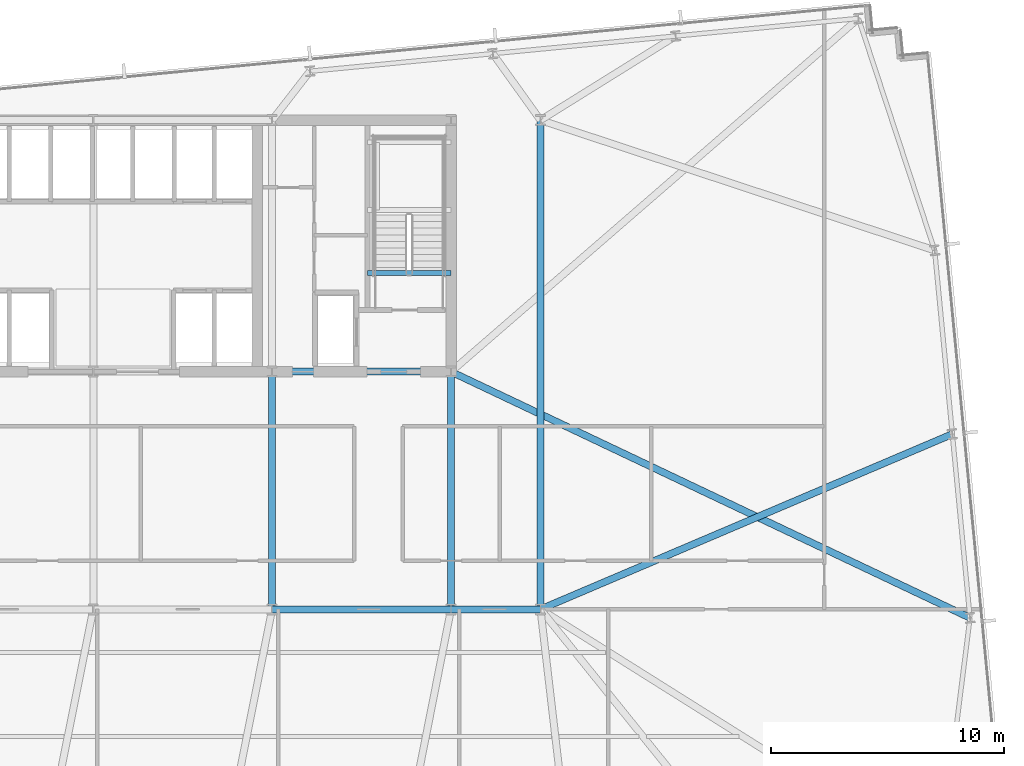
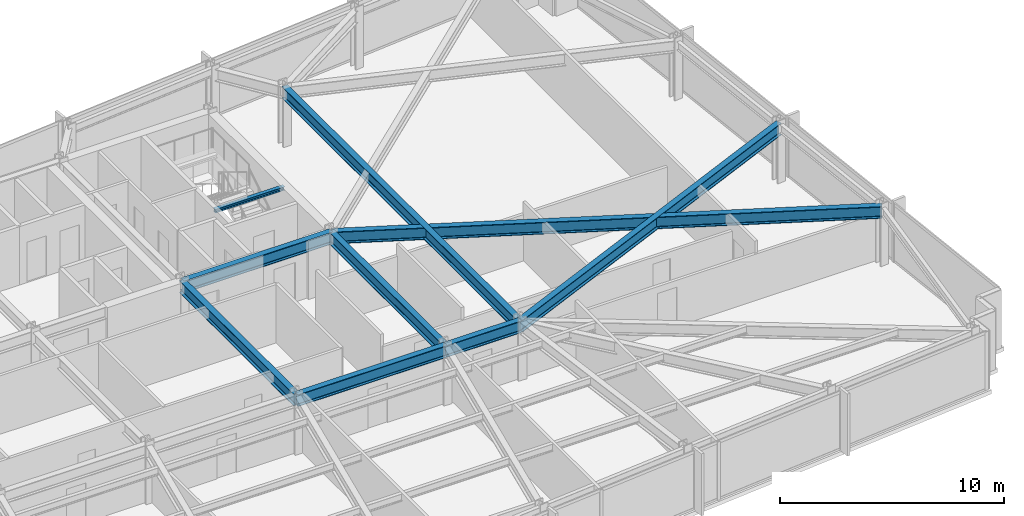
# One storey, part 15 of 32: 9 beams.
"""IFC4 building model written with IfcOpenShell, lengths in metres."""

from ifc_helpers import new_model, si_unit, direction, frame, origin, origin_2d, place, context, subcontext, project, spatial, i_section, extrude, material, material_profile, profile_set, type_object, element, save


model = new_model("IFC4")

# Units and contexts
model_context = context("Model", 3, precision=1e-05, world=origin(), true_north=direction((0.0, 1.0)))
body_context = subcontext(model_context, "Body", "Model", "MODEL_VIEW")
ifc_project = project(units=[si_unit("LENGTHUNIT", "METRE"), si_unit("AREAUNIT", "SQUARE_METRE"), si_unit("VOLUMEUNIT", "CUBIC_METRE"), si_unit("PLANEANGLEUNIT", "RADIAN"), si_unit("MASSUNIT", "GRAM", prefix="KILO")], contexts=[model_context])

# Site, building, storey
site_placement = place(None, origin())
site = spatial("IfcSite", under=ifc_project, at=site_placement, CompositionType="ELEMENT")
building_placement = place(site_placement, origin())
building = spatial("IfcBuilding", under=site, at=building_placement, Name="Yelkora Congress Tower", CompositionType="ELEMENT")
storey_placement = place(building_placement, frame((0.0, 0.0, 93.10009765625)))
storey = spatial("IfcBuildingStorey", under=building, at=storey_placement, Name="L24", CompositionType="ELEMENT", Elevation=93.10009765625)

# Beams
ifc_material = material(Name="Steel S355J2", Category="steel")
ifc_material_profile_1 = material_profile(ifc_material, i_section(OverallWidth=0.300048828125, OverallDepth=0.64990234375, WebThickness=0.01611328125, FlangeThickness=0.031005859375, FilletRadius=0.027099609375, at=origin_2d()), Name="HEB 650")
ifc_profile_set_1 = profile_set([ifc_material_profile_1], Name="Steel S355J2")
beam_type_1 = type_object("IfcBeamType", Name="BM-GIRD-HEB650", PredefinedType="BEAM", material=ifc_profile_set_1)
beam_1_placement = place(storey_placement, frame((46.080078125, 25.199951171875, 2.85498046875), z_axis=(1.0, 0.0, 0.0), x_axis=(0.0, 1.0, 0.0)))
element("IfcBeam", 1, at=beam_1_placement, inside=storey, type_object=beam_type_1, Name="L24 Spine Grid D Girder 5", PredefinedType="BEAM", context=body_context, shape_type="SweptSolid", body=[
    extrude(i_section(OverallWidth=0.300048828125, OverallDepth=0.64990234375, WebThickness=0.01611328125, FlangeThickness=0.031005859375, FilletRadius=0.027099609375, at=origin_2d()), origin(), (0.0, 0.0, 1.0), 7.679931640625),
])
beam_2_placement = place(storey_placement, frame((53.760009765625, 25.199951171875, 2.85498046875), z_axis=(1.0, 0.0, 0.0), x_axis=(0.0, 1.0, 0.0)))
element("IfcBeam", 2, at=beam_2_placement, inside=storey, type_object=beam_type_1, Name="L24 Spine Grid D Girder 6", PredefinedType="BEAM", context=body_context, shape_type="SweptSolid", body=[
    extrude(i_section(OverallWidth=0.300048828125, OverallDepth=0.64990234375, WebThickness=0.01611328125, FlangeThickness=0.031005859375, FilletRadius=0.027099609375, at=origin_2d()), origin(), (0.0, 0.0, 1.0), 3.840087890625),
])
beam_3_placement = place(storey_placement, frame((46.080078125, 35.39990234375, 2.85498046875), z_axis=(1.0, 0.0, 0.0), x_axis=(0.0, 1.0, 0.0)))
element("IfcBeam", 3, at=beam_3_placement, inside=storey, type_object=beam_type_1, Name="L24 Core South Girder 4", PredefinedType="BEAM", context=body_context, shape_type="SweptSolid", body=[
    extrude(i_section(OverallWidth=0.300048828125, OverallDepth=0.64990234375, WebThickness=0.01611328125, FlangeThickness=0.031005859375, FilletRadius=0.027099609375, at=origin_2d()), origin(), (0.0, 0.0, 1.0), 7.679931640625),
])
for number, where, z_axis, x_axis, name in (
    (4, (46.080078125, 25.199951171875, 2.85498046875), (0.0, 1.0, 0.0), (-1.0, 0.0, 0.0), "L24 Core Tie Girder MC-D4"),
    (5, (53.760009765625, 25.199951171875, 2.85498046875), (0.0, 1.0, 0.0), (-1.0, 0.0, 0.0), "L24 Core Tie Girder MC-D5"),
):
    element("IfcBeam", number, at=place(storey_placement, frame(where, z_axis=z_axis, x_axis=x_axis)), inside=storey, type_object=beam_type_1, Name=name, PredefinedType="BEAM", context=body_context, shape_type="SweptSolid", body=[
        extrude(i_section(OverallWidth=0.300048828125, OverallDepth=0.64990234375, WebThickness=0.01611328125, FlangeThickness=0.031005859375, FilletRadius=0.027099609375, at=origin_2d()), origin(), (0.0, 0.0, 1.0), 10.199951171875),
    ])
beam_4_placement = place(storey_placement, frame((57.60009765625, 25.199951171875, 2.85498046875), z_axis=(0.0, 1.0, 0.0), x_axis=(-1.0, 0.0, 0.0)))
element("IfcBeam", 6, at=beam_4_placement, inside=storey, type_object=beam_type_1, Name="L24 Neck Flank Girder MC-F2", PredefinedType="BEAM", context=body_context, shape_type="SweptSolid", body=[
    extrude(i_section(OverallWidth=0.300048828125, OverallDepth=0.64990234375, WebThickness=0.01611328125, FlangeThickness=0.031005859375, FilletRadius=0.027099609375, at=origin_2d()), origin(), (0.0, 0.0, 1.0), 21.0),
])
beam_5_placement = place(storey_placement, frame((76.041259765625, 24.83349609375, 2.85498046875), z_axis=(-0.903547447445, 0.428488051427, 0.0), x_axis=(-0.428488051427, -0.903547447445, 0.0)))
element("IfcBeam", 7, at=beam_5_placement, inside=storey, type_object=beam_type_1, Name="L24 Primary Frame Girder E01", PredefinedType="BEAM", context=body_context, shape_type="SweptSolid", body=[
    extrude(i_section(OverallWidth=0.300048828125, OverallDepth=0.64990234375, WebThickness=0.01611328125, FlangeThickness=0.031005859375, FilletRadius=0.027099609375, at=origin_2d()), origin(), (0.0, 0.0, 1.0), 24.65966796875),
])
beam_6_placement = place(storey_placement, frame((75.28173828125, 32.721923828125, 2.85498046875), z_axis=(-0.920194564302, -0.391461318432, 0.0), x_axis=(0.391461318432, -0.920194564302, 0.0)))
element("IfcBeam", 8, at=beam_6_placement, inside=storey, type_object=beam_type_1, Name="L24 Primary Frame Girder E02", PredefinedType="BEAM", context=body_context, shape_type="SweptSolid", body=[
    extrude(i_section(OverallWidth=0.300048828125, OverallDepth=0.64990234375, WebThickness=0.01611328125, FlangeThickness=0.031005859375, FilletRadius=0.027099609375, at=origin_2d()), origin(), (0.0, 0.0, 1.0), 19.215087890625),
])
ifc_material_profile_2 = material_profile(ifc_material, i_section(OverallWidth=0.199951171875, OverallDepth=0.18994140625, WebThickness=0.006591796875, FlangeThickness=0.010009765625, FilletRadius=0.01806640625, at=origin_2d()), Name="HEA 200")
ifc_profile_set_2 = profile_set([ifc_material_profile_2], Name="Steel S355J2")
beam_type_2 = type_object("IfcBeamType", Name="BM-LAND-HEA200", PredefinedType="BEAM", material=ifc_profile_set_2)
beam_7_placement = place(storey_placement, frame((50.179931640625, 39.639892578125, 2.947265625), z_axis=(1.0, 0.0, 0.0), x_axis=(0.0, 1.0, 0.0)))
element("IfcBeam", 9, at=beam_7_placement, inside=storey, type_object=beam_type_2, Name="ST-02 L24 Floor Arrival Stringer Header Beam", PredefinedType="BEAM", context=body_context, shape_type="SweptSolid", body=[
    extrude(i_section(OverallWidth=0.199951171875, OverallDepth=0.18994140625, WebThickness=0.006591796875, FlangeThickness=0.010009765625, FilletRadius=0.01806640625, at=origin_2d()), origin(), (0.0, 0.0, 1.0), 3.580078125),
])

save(model, "model.ifc")
